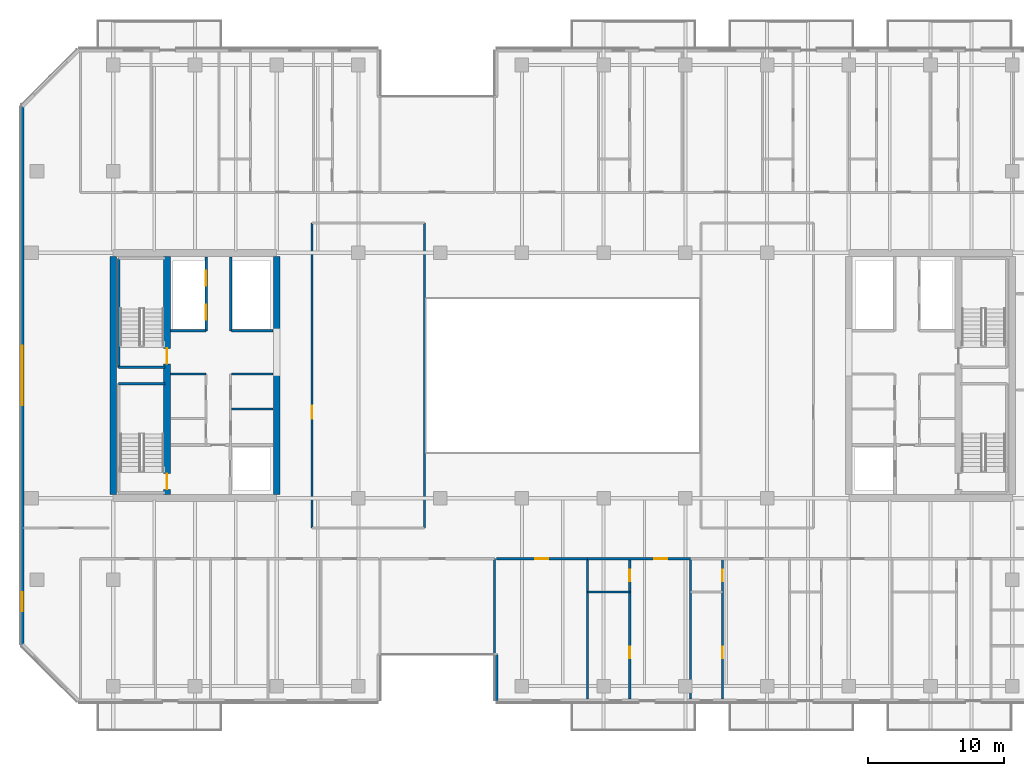
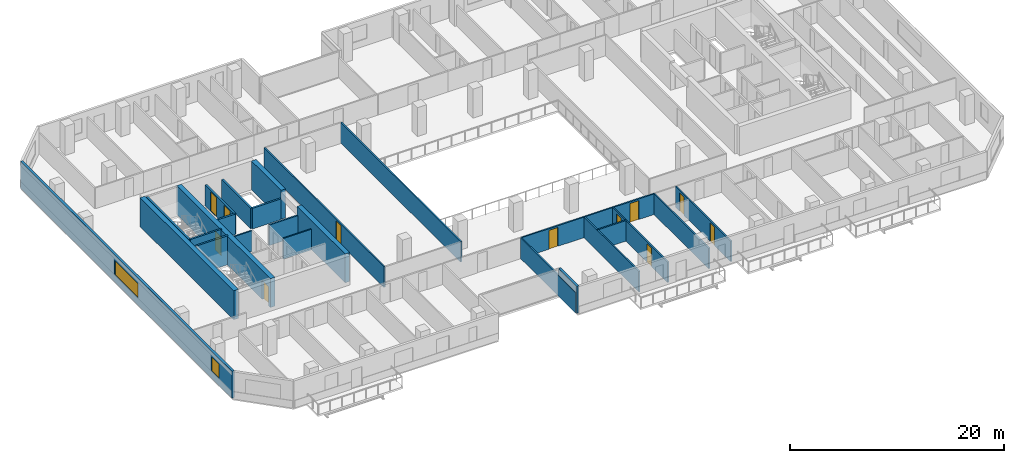
# One storey, part 11 of 23: 26 walls, 11 doors, 2 windows, 13 openings.
"""IFC4 building model written with IfcOpenShell, lengths in metres."""

from ifc_helpers import new_model, si_unit, direction, frame, frame_2d, origin, place, context, subcontext, project, spatial, rectangle, extrude, material, layer, layer_set, type_object, element, fill, save


model = new_model("IFC4")

# Units and contexts
model_context = context("Model", 3, precision=1e-05, world=origin(), true_north=direction((0.0, 1.0)))
body_context = subcontext(model_context, "Body", "Model", "MODEL_VIEW")
ifc_project = project(units=[si_unit("LENGTHUNIT", "METRE"), si_unit("AREAUNIT", "SQUARE_METRE"), si_unit("VOLUMEUNIT", "CUBIC_METRE"), si_unit("PLANEANGLEUNIT", "RADIAN"), si_unit("MASSUNIT", "GRAM", prefix="KILO")], contexts=[model_context])

# Site, building, storey
site_placement = place(None, origin())
site = spatial("IfcSite", under=ifc_project, at=site_placement, CompositionType="ELEMENT")
building_placement = place(site_placement, origin())
building = spatial("IfcBuilding", under=site, at=building_placement, Name="Tanjung Sevakor Pilgrim Tower", CompositionType="ELEMENT")
storey_placement = place(building_placement, frame((0.0, 0.0, 98.669921875)))
storey = spatial("IfcBuildingStorey", under=building, at=storey_placement, Name="L27", CompositionType="ELEMENT", Elevation=98.669921875)

# Walls
ifc_material_1 = material(Name="Concrete C60/75", Category="concrete")
ifc_layer_1 = layer(ifc_material_1, 0.5)
ifc_layer_set_1 = layer_set([ifc_layer_1], Name="WALL-CW-500")
wall_type_1 = type_object("IfcWallType", Name="WALL-CW-500", PredefinedType="SHEAR", material=ifc_layer_set_1)
wall_1_placement = place(storey_placement, frame((24.0, 24.85009765625, 0.0), z_axis=(0.0, 0.0, 1.0), x_axis=(0.0, 1.0, 0.0)))
element("IfcWall", 1, at=wall_1_placement, inside=storey, type_object=wall_type_1, Name="L27 W Core Outer Shear Wall", PredefinedType="SHEAR", context=body_context, shape_type="SweptSolid", body=[
    extrude(rectangle(XDim=17.5, YDim=0.5, at=frame_2d((8.75, 0.0))), origin(), (0.0, 0.0, 1.0), 3.300048828125),
])
wall_2_placement = place(storey_placement, frame((36.0, 24.85009765625, 0.0), z_axis=(0.0, 0.0, 1.0), x_axis=(0.0, 1.0, 0.0)))
element("IfcWall", 2, at=wall_2_placement, inside=storey, type_object=wall_type_1, Name="L27 W Core Inner Shear Wall South", PredefinedType="SHEAR", context=body_context, shape_type="SweptSolid", body=[
    extrude(rectangle(XDim=8.949951171875, YDim=0.5, at=frame_2d((4.47509765625, 0.0))), origin(), (0.0, 0.0, 1.0), 3.300048828125),
])
wall_3_placement = place(storey_placement, frame((36.0, 36.800048828125, 0.0), z_axis=(0.0, 0.0, 1.0), x_axis=(0.0, 1.0, 0.0)))
element("IfcWall", 3, at=wall_3_placement, inside=storey, type_object=wall_type_1, Name="L27 W Core Inner Shear Wall North", PredefinedType="SHEAR", context=body_context, shape_type="SweptSolid", body=[
    extrude(rectangle(XDim=5.550048828125, YDim=0.5, at=frame_2d((2.77490234375, 0.0))), origin(), (0.0, 0.0, 1.0), 3.300048828125),
])

# Wall, openings, doors
wall_4_placement = place(storey_placement, frame((27.949951171875, 24.85009765625, 0.0), z_axis=(0.0, 0.0, 1.0), x_axis=(0.0, 1.0, 0.0)))
wall_4 = element("IfcWall", 4, at=wall_4_placement, inside=storey, type_object=wall_type_1, Name="L27 W Core Stair Spine Wall", PredefinedType="SHEAR", context=body_context, shape_type="SweptSolid", body=[
    extrude(rectangle(XDim=17.5, YDim=0.5, at=frame_2d((8.75, 0.0))), origin(), (0.0, 0.0, 1.0), 3.300048828125),
])
opening_1_placement = place(wall_4_placement, frame((0.39990234375, 0.0, 0.0)))
opening_1 = element("IfcOpeningElement", 5, at=opening_1_placement, cuts=wall_4, Name="Opening ID-ST1", PredefinedType="OPENING", context=body_context, shape_type="SweptSolid", body=[
    extrude(rectangle(XDim=1.14990234375, YDim=2.14990234375, at=frame_2d((0.574951171875, 1.074951171875))), frame((0.0, 0.260009765625, 0.0), z_axis=(0.0, -1.0, 0.0), x_axis=(1.0, 0.0, 0.0)), (0.0, 0.0, 1.0), 0.52001953125),
])
opening_2_placement = place(wall_4_placement, frame((9.60009765625, 0.0, 0.0)))
opening_2 = element("IfcOpeningElement", 6, at=opening_2_placement, cuts=wall_4, Name="Opening ID-ST1", PredefinedType="OPENING", context=body_context, shape_type="SweptSolid", body=[
    extrude(rectangle(XDim=1.14990234375, YDim=2.14990234375, at=frame_2d((0.574951171875, 1.074951171875))), frame((0.0, 0.260009765625, 0.0), z_axis=(0.0, -1.0, 0.0), x_axis=(1.0, 0.0, 0.0)), (0.0, 0.0, 1.0), 0.52001953125),
])
ifc_material_2 = material(Name="Fire-Rated Steel S355J2", Category="steel")
door_type_1 = type_object("IfcDoorType", Name="DT-FIRE-1150", OperationType="NOTDEFINED", PredefinedType="DOOR", material=ifc_material_2)
door_1_placement = place(opening_1_placement, origin())
door_1 = element("IfcDoor", 7, at=door_1_placement, inside=storey, type_object=door_type_1, Name="L27 TS-W1 Stair Fire Door", OperationType="SINGLE_SWING_RIGHT", OverallHeight=2.14990234375, OverallWidth=1.14990234375, PredefinedType="DOOR", context=body_context, shape_type="SweptSolid", body=[
    extrude(rectangle(XDim=1.14990234375, YDim=2.14990234375, at=frame_2d((0.574951171875, 1.074951171875))), frame((0.0, 0.02490234375, 0.0), z_axis=(0.0, -1.0, 0.0), x_axis=(1.0, 0.0, 0.0)), (0.0, 0.0, 1.0), 0.050048828125),
])
fill(opening_1, door_1)
door_2_placement = place(opening_2_placement, origin())
door_2 = element("IfcDoor", 8, at=door_2_placement, inside=storey, type_object=door_type_1, Name="L27 TS-W2 Stair Fire Door", OperationType="SINGLE_SWING_LEFT", OverallHeight=2.14990234375, OverallWidth=1.14990234375, PredefinedType="DOOR", context=body_context, shape_type="SweptSolid", body=[
    extrude(rectangle(XDim=1.14990234375, YDim=2.14990234375, at=frame_2d((0.574951171875, 1.074951171875))), frame((0.0, 0.02490234375, 0.0), z_axis=(0.0, -1.0, 0.0), x_axis=(1.0, 0.0, 0.0)), (0.0, 0.0, 1.0), 0.050048828125),
])
fill(opening_2, door_2)

# Walls
ifc_material_3 = material(Name="Concrete C40/50", Category="concrete")
ifc_layer_2 = layer(ifc_material_3, 0.14990234375)
ifc_layer_set_2 = layer_set([ifc_layer_2], Name="WT-COMP-150")
wall_type_2 = type_object("IfcWallType", Name="WT-COMP-150", PredefinedType="SOLIDWALL", material=ifc_layer_set_2)
wall_5_placement = place(storey_placement, frame((28.219970703125, 33.719970703125, 0.0), z_axis=(0.0, 0.0, 1.0), x_axis=(1.0, 0.0, 0.0)))
element("IfcWall", 9, at=wall_5_placement, inside=storey, type_object=wall_type_2, Name="L27 Partition IW-L27-004", PredefinedType="SOLIDWALL", context=body_context, shape_type="SweptSolid", body=[
    extrude(rectangle(XDim=2.580078125, YDim=0.14990234375, at=frame_2d((1.2900390625, 0.0))), origin(), (0.0, 0.0, 1.0), 2.35009765625),
])
for number, where, z_axis, x_axis, name in (
    (10, (32.679931640625, 31.14990234375, 0.0), (0.0, 0.0, 1.0), (1.0, 0.0, 0.0), "L27 Partition IW-L27-006"),
    (11, (32.679931640625, 33.719970703125, 0.0), (0.0, 0.0, 1.0), (1.0, 0.0, 0.0), "L27 Partition IW-L27-007"),
):
    element("IfcWall", number, at=place(storey_placement, frame(where, z_axis=z_axis, x_axis=x_axis)), inside=storey, type_object=wall_type_2, Name=name, PredefinedType="SOLIDWALL", context=body_context, shape_type="SweptSolid", body=[
        extrude(rectangle(XDim=3.050048828125, YDim=0.14990234375, at=frame_2d((1.52490234375, 0.0))), origin(), (0.0, 0.0, 1.0), 2.35009765625),
    ])

# Wall, opening, door
wall_6_placement = place(storey_placement, frame((38.60009765625, 22.39990234375, 0.0), z_axis=(0.0, 0.0, 1.0), x_axis=(0.0, 1.0, 0.0)))
wall_6 = element("IfcWall", 12, at=wall_6_placement, inside=storey, type_object=wall_type_2, Name="L27 Partition IW-L27-027", PredefinedType="SOLIDWALL", context=body_context, shape_type="SweptSolid", body=[
    extrude(rectangle(XDim=22.400146484375, YDim=0.14990234375, at=frame_2d((11.2001953125, 0.0))), origin(), (0.0, 0.0, 1.0), 2.35009765625),
])
opening_3_placement = place(wall_6_placement, frame((8.02490234375, 0.0, 0.0)))
opening_3 = element("IfcOpeningElement", 13, at=opening_3_placement, cuts=wall_6, Name="Opening ID-RM1", PredefinedType="OPENING", context=body_context, shape_type="SweptSolid", body=[
    extrude(rectangle(XDim=0.949951171875, YDim=2.14990234375, at=frame_2d((0.47509765625, 1.074951171875))), frame((0.0, 0.0849609375, 0.0), z_axis=(0.0, -1.0, 0.0), x_axis=(1.0, 0.0, 0.0)), (0.0, 0.0, 1.0), 0.169921875),
])
ifc_material_4 = material(Name="Hardwood Timber", Category="wood")
door_type_2 = type_object("IfcDoorType", Name="DT-INT-950", OperationType="NOTDEFINED", PredefinedType="DOOR", material=ifc_material_4)
door_3_placement = place(opening_3_placement, origin())
door_3 = element("IfcDoor", 14, at=door_3_placement, inside=storey, type_object=door_type_2, Name="L27 Central West Room Door", OperationType="SINGLE_SWING_LEFT", OverallHeight=2.14990234375, OverallWidth=0.949951171875, PredefinedType="DOOR", context=body_context, shape_type="SweptSolid", body=[
    extrude(rectangle(XDim=0.949951171875, YDim=2.14990234375, at=frame_2d((0.47509765625, 1.074951171875))), frame((0.0, 0.02490234375, 0.0), z_axis=(0.0, -1.0, 0.0), x_axis=(1.0, 0.0, 0.0)), (0.0, 0.0, 1.0), 0.050048828125),
])
fill(opening_3, door_3)

# Walls
wall_7_placement = place(storey_placement, frame((46.85009765625, 22.39990234375, 0.0), z_axis=(0.0, 0.0, 1.0), x_axis=(0.0, 1.0, 0.0)))
element("IfcWall", 15, at=wall_7_placement, inside=storey, type_object=wall_type_2, Name="L27 Partition IW-L27-028", PredefinedType="SOLIDWALL", context=body_context, shape_type="SweptSolid", body=[
    extrude(rectangle(XDim=22.400146484375, YDim=0.14990234375, at=frame_2d((11.2001953125, 0.0))), origin(), (0.0, 0.0, 1.0), 2.35009765625),
])
for number, where, z_axis, x_axis, name in (
    (16, (52.0, 9.85009765625, 0.0), (0.0, 0.0, 1.0), (0.0, 1.0, 0.0), "L27 Partition IW-L27-043"),
    (17, (58.827880859375, 9.85009765625, 0.0), (0.0, 0.0, 1.0), (0.0, 1.0, 0.0), "L27 Partition IW-L27-058"),
):
    element("IfcWall", number, at=place(storey_placement, frame(where, z_axis=z_axis, x_axis=x_axis)), inside=storey, type_object=wall_type_2, Name=name, PredefinedType="SOLIDWALL", context=body_context, shape_type="SweptSolid", body=[
        extrude(rectangle(XDim=10.2998046875, YDim=0.14990234375, at=frame_2d((5.14990234375, 0.0))), origin(), (0.0, 0.0, 1.0), 2.35009765625),
    ])

# Wall, opening, door
wall_8_placement = place(storey_placement, frame((52.1201171875, 20.14990234375, 0.0), z_axis=(0.0, 0.0, 1.0), x_axis=(1.0, 0.0, 0.0)))
wall_8 = element("IfcWall", 18, at=wall_8_placement, inside=storey, type_object=wall_type_2, Name="L27 Partition IW-L27-059", PredefinedType="SOLIDWALL", context=body_context, shape_type="SweptSolid", body=[
    extrude(rectangle(XDim=6.707763671875, YDim=0.14990234375, at=frame_2d((3.35400390625, 0.0))), origin(), (0.0, 0.0, 1.0), 2.35009765625),
])
opening_4_placement = place(wall_8_placement, frame((2.87890625, 0.0, 0.0)))
opening_4 = element("IfcOpeningElement", 19, at=opening_4_placement, cuts=wall_8, Name="Opening ID-FD2", PredefinedType="OPENING", context=body_context, shape_type="SweptSolid", body=[
    extrude(rectangle(XDim=0.949951171875, YDim=2.14990234375, at=frame_2d((0.47509765625, 1.074951171875))), frame((0.0, 0.0849609375, 0.0), z_axis=(0.0, -1.0, 0.0), x_axis=(1.0, 0.0, 0.0)), (0.0, 0.0, 1.0), 0.169921875),
])
ifc_material_5 = material(Name="Fire-Rated Timber", Category="wood")
door_type_3 = type_object("IfcDoorType", Name="DT-FIRE-950", OperationType="NOTDEFINED", PredefinedType="DOOR", material=ifc_material_5)
door_4_placement = place(opening_4_placement, origin())
door_4 = element("IfcDoor", 20, at=door_4_placement, inside=storey, type_object=door_type_3, Name="Housekeeping Pantry Door", OperationType="SINGLE_SWING_RIGHT", OverallHeight=2.14990234375, OverallWidth=0.949951171875, PredefinedType="DOOR", context=body_context, shape_type="SweptSolid", body=[
    extrude(rectangle(XDim=0.949951171875, YDim=2.14990234375, at=frame_2d((0.47509765625, 1.074951171875))), frame((0.0, 0.02490234375, 0.0), z_axis=(0.0, -1.0, 0.0), x_axis=(1.0, 0.0, 0.0)), (0.0, 0.0, 1.0), 0.050048828125),
])
fill(opening_4, door_4)

# Wall
wall_9_placement = place(storey_placement, frame((66.3740234375, 9.85009765625, 0.0), z_axis=(0.0, 0.0, 1.0), x_axis=(0.0, 1.0, 0.0)))
element("IfcWall", 21, at=wall_9_placement, inside=storey, type_object=wall_type_2, Name="L27 Partition IW-L27-060", PredefinedType="SOLIDWALL", context=body_context, shape_type="SweptSolid", body=[
    extrude(rectangle(XDim=10.2998046875, YDim=0.14990234375, at=frame_2d((5.14990234375, 0.0))), origin(), (0.0, 0.0, 1.0), 2.35009765625),
])

# Wall, opening, door
wall_10_placement = place(storey_placement, frame((58.827880859375, 20.14990234375, 0.0), z_axis=(0.0, 0.0, 1.0), x_axis=(1.0, 0.0, 0.0)))
wall_10 = element("IfcWall", 22, at=wall_10_placement, inside=storey, type_object=wall_type_2, Name="L27 Partition IW-L27-063", PredefinedType="SOLIDWALL", context=body_context, shape_type="SweptSolid", body=[
    extrude(rectangle(XDim=7.546142578125, YDim=0.14990234375, at=frame_2d((3.77294921875, 0.0))), origin(), (0.0, 0.0, 1.0), 2.35009765625),
])
opening_5_placement = place(wall_10_placement, frame((4.88427734375, 0.0, 0.0)))
opening_5 = element("IfcOpeningElement", 23, at=opening_5_placement, cuts=wall_10, Name="Opening ID-FD2", PredefinedType="OPENING", context=body_context, shape_type="SweptSolid", body=[
    extrude(rectangle(XDim=0.949951171875, YDim=2.14990234375, at=frame_2d((0.47509765625, 1.074951171875))), frame((0.0, 0.0849609375, 0.0), z_axis=(0.0, -1.0, 0.0), x_axis=(1.0, 0.0, 0.0)), (0.0, 0.0, 1.0), 0.169921875),
])
door_5_placement = place(opening_5_placement, origin())
door_5 = element("IfcDoor", 24, at=door_5_placement, inside=storey, type_object=door_type_3, Name="Hostel Quad Entrance", OperationType="SINGLE_SWING_LEFT", OverallHeight=2.14990234375, OverallWidth=0.949951171875, PredefinedType="DOOR", context=body_context, shape_type="SweptSolid", body=[
    extrude(rectangle(XDim=0.949951171875, YDim=2.14990234375, at=frame_2d((0.47509765625, 1.074951171875))), frame((0.0, 0.02490234375, 0.0), z_axis=(0.0, -1.0, 0.0), x_axis=(1.0, 0.0, 0.0)), (0.0, 0.0, 1.0), 0.050048828125),
])
fill(opening_5, door_5)

# Wall
ifc_material_6 = material(Name="Precast concrete C45/55", Category="concrete")
ifc_layer_3 = layer(ifc_material_6, 0.25)
ifc_layer_set_3 = layer_set([ifc_layer_3], Name="WT-EW-STN3")
wall_type_3 = type_object("IfcWallType", Name="WT-EW-STN3", PredefinedType="SOLIDWALL", material=ifc_layer_set_3)
wall_11_placement = place(storey_placement, frame((52.125, 13.125, 0.0), z_axis=(0.0, 0.0, 1.0), x_axis=(0.0, -1.0, 0.0)))
element("IfcWall", 25, at=wall_11_placement, inside=storey, type_object=wall_type_3, Name="L27 MAIN Exterior Wall 4", PredefinedType="SOLIDWALL", context=body_context, shape_type="SweptSolid", body=[
    extrude(rectangle(XDim=3.39990234375, YDim=0.25, at=frame_2d((1.699951171875, 0.0))), origin(), (0.0, 0.0, 1.0), 3.080078125),
])

# Wall, openings, windows
wall_12_placement = place(storey_placement, frame((17.324951171875, 53.34814453125, 0.0), z_axis=(0.0, 0.0, 1.0), x_axis=(0.0, -1.0, 0.0)))
wall_12 = element("IfcWall", 26, at=wall_12_placement, inside=storey, type_object=wall_type_3, Name="L27 MAIN Exterior Wall 15", PredefinedType="SOLIDWALL", context=body_context, shape_type="SweptSolid", body=[
    extrude(rectangle(XDim=39.496337890625, YDim=0.25, at=frame_2d((19.748046875, 0.0))), origin(), (0.0, 0.0, 1.0), 3.080078125),
])
opening_6_placement = place(wall_12_placement, frame((17.548095703125, 0.0, 0.780029296875)))
opening_6 = element("IfcOpeningElement", 27, at=opening_6_placement, cuts=wall_12, Name="Opening WN-ENDW-1660", PredefinedType="OPENING", context=body_context, shape_type="SweptSolid", body=[
    extrude(rectangle(XDim=4.39990234375, YDim=1.659912109375, at=frame_2d((2.199951171875, 0.830078125))), frame((0.0, 0.135009765625, 0.0), z_axis=(0.0, -1.0, 0.0), x_axis=(1.0, 0.0, 0.0)), (0.0, 0.0, 1.0), 0.27001953125),
])
opening_7_placement = place(wall_12_placement, frame((35.642333984375, 0.0, 0.780029296875)))
opening_7 = element("IfcOpeningElement", 28, at=opening_7_placement, cuts=wall_12, Name="Opening WN-END", PredefinedType="OPENING", context=body_context, shape_type="SweptSolid", body=[
    extrude(rectangle(XDim=1.39990234375, YDim=1.64990234375, at=frame_2d((0.699951171875, 0.824951171875))), frame((0.0, 0.135009765625, 0.0), z_axis=(0.0, -1.0, 0.0), x_axis=(1.0, 0.0, 0.0)), (0.0, 0.0, 1.0), 0.27001953125),
])
ifc_material_7 = material(Name="Thermally Broken Aluminium and Low-E Glass", Category="aluminium")
window_type_1 = type_object("IfcWindowType", Name="WTYP-WN-END", PartitioningType="SINGLE_PANEL", PredefinedType="WINDOW", material=ifc_material_7)
window_1_placement = place(opening_7_placement, origin())
window_1 = element("IfcWindow", 29, at=window_1_placement, inside=storey, type_object=window_type_1, Name="L27 Facade Window 02", OverallHeight=1.64990234375, OverallWidth=1.39990234375, PartitioningType="SINGLE_PANEL", PredefinedType="WINDOW", context=body_context, shape_type="SweptSolid", body=[
    extrude(rectangle(XDim=1.39990234375, YDim=1.64990234375, at=frame_2d((0.699951171875, 0.824951171875))), frame((0.0, 0.030029296875, 0.0), z_axis=(0.0, -1.0, 0.0), x_axis=(1.0, 0.0, 0.0)), (0.0, 0.0, 1.0), 0.06005859375),
])
fill(opening_7, window_1)
ifc_material_8 = material(Name="Thermally Broken Aluminium and Low-E Glass", Category="aluminium")
window_type_2 = type_object("IfcWindowType", Name="WTYP-WN-ENDW-1660", PartitioningType="DOUBLE_PANEL_VERTICAL", PredefinedType="WINDOW", material=ifc_material_8)
window_2_placement = place(opening_6_placement, origin())
window_2 = element("IfcWindow", 30, at=window_2_placement, inside=storey, type_object=window_type_2, Name="L27 Facade Window 01", OverallHeight=1.659912109375, OverallWidth=4.39990234375, PartitioningType="SINGLE_PANEL", PredefinedType="WINDOW", context=body_context, shape_type="SweptSolid", body=[
    extrude(rectangle(XDim=4.39990234375, YDim=1.659912109375, at=frame_2d((2.199951171875, 0.830078125))), frame((0.0, 0.030029296875, 0.0), z_axis=(0.0, -1.0, 0.0), x_axis=(1.0, 0.0, 0.0)), (0.0, 0.0, 1.0), 0.06005859375),
])
fill(opening_6, window_2)

# Walls
ifc_material_9 = material(Name="Concrete C40/50", Category="concrete")
ifc_layer_4 = layer(ifc_material_9, 0.199951171875)
ifc_layer_set_4 = layer_set([ifc_layer_4], Name="WT-FIRE-200")
wall_type_4 = type_object("IfcWallType", Name="WT-FIRE-200", PredefinedType="SOLIDWALL", material=ifc_layer_set_4)
for number, where, z_axis, x_axis, name in (
    (31, (27.800048828125, 33.0, 0.0), (0.0, 0.0, 1.0), (-1.0, 0.0, 0.0), "L27 TS-W1 Shaft Wall 2"),
    (32, (24.39990234375, 34.199951171875, 0.0), (0.0, 0.0, 1.0), (1.0, 0.0, 0.0), "L27 TS-W2 Shaft Wall 1"),
):
    element("IfcWall", number, at=place(storey_placement, frame(where, z_axis=z_axis, x_axis=x_axis)), inside=storey, type_object=wall_type_4, Name=name, PredefinedType="SOLIDWALL", context=body_context, shape_type="SweptSolid", body=[
        extrude(rectangle(XDim=3.400146484375, YDim=0.199951171875, at=frame_2d((1.7001953125, 0.0))), origin(), (0.0, 0.0, 1.0), 3.300048828125),
    ])
wall_13_placement = place(storey_placement, frame((24.39990234375, 42.199951171875, 0.0), z_axis=(0.0, 0.0, 1.0), x_axis=(0.0, -1.0, 0.0)))
element("IfcWall", 33, at=wall_13_placement, inside=storey, type_object=wall_type_4, Name="L27 TS-W2 Shaft Wall 3", PredefinedType="SOLIDWALL", context=body_context, shape_type="SweptSolid", body=[
    extrude(rectangle(XDim=8.0, YDim=0.199951171875, at=frame_2d((4.0, 0.0))), origin(), (0.0, 0.0, 1.0), 3.300048828125),
])
ifc_material_10 = material(Name="Concrete C40/50", Category="concrete")
ifc_layer_5 = layer(ifc_material_10, 0.199951171875)
ifc_layer_set_5 = layer_set([ifc_layer_5], Name="WT-FPRT-200")
wall_type_5 = type_object("IfcWallType", Name="WT-FPRT-200", PredefinedType="SOLIDWALL", material=ifc_layer_set_5)
wall_14_placement = place(storey_placement, frame((28.219970703125, 36.8798828125, 0.0), z_axis=(0.0, 0.0, 1.0), x_axis=(1.0, 0.0, 0.0)))
element("IfcWall", 34, at=wall_14_placement, inside=storey, type_object=wall_type_5, Name="L27 Partition IW-L27-009", PredefinedType="SOLIDWALL", context=body_context, shape_type="SweptSolid", body=[
    extrude(rectangle(XDim=2.580078125, YDim=0.199951171875, at=frame_2d((1.2900390625, 0.0))), origin(), (0.0, 0.0, 1.0), 2.35009765625),
])

# Wall, openings, doors
wall_15_placement = place(storey_placement, frame((30.820068359375, 36.8798828125, 0.0), z_axis=(0.0, 0.0, 1.0), x_axis=(0.0, 1.0, 0.0)))
wall_15 = element("IfcWall", 35, at=wall_15_placement, inside=storey, type_object=wall_type_5, Name="L27 Partition IW-L27-010", PredefinedType="SOLIDWALL", context=body_context, shape_type="SweptSolid", body=[
    extrude(rectangle(XDim=5.420166015625, YDim=0.199951171875, at=frame_2d((2.7099609375, 0.0))), origin(), (0.0, 0.0, 1.0), 2.35009765625),
])
opening_8_placement = place(wall_15_placement, frame((0.800048828125, 0.0, 0.0)))
opening_8 = element("IfcOpeningElement", 36, at=opening_8_placement, cuts=wall_15, Name="Opening LD-1100", PredefinedType="OPENING", context=body_context, shape_type="SweptSolid", body=[
    extrude(rectangle(XDim=1.10009765625, YDim=2.199951171875, at=frame_2d((0.550048828125, 1.10009765625))), frame((0.0, 0.10986328125, 0.0), z_axis=(0.0, -1.0, 0.0), x_axis=(1.0, 0.0, 0.0)), (0.0, 0.0, 1.0), 0.219970703125),
])
opening_9_placement = place(wall_15_placement, frame((3.300048828125, 0.0, 0.0)))
opening_9 = element("IfcOpeningElement", 37, at=opening_9_placement, cuts=wall_15, Name="Opening LD-1100", PredefinedType="OPENING", context=body_context, shape_type="SweptSolid", body=[
    extrude(rectangle(XDim=1.10009765625, YDim=2.199951171875, at=frame_2d((0.550048828125, 1.10009765625))), frame((0.0, 0.10986328125, 0.0), z_axis=(0.0, -1.0, 0.0), x_axis=(1.0, 0.0, 0.0)), (0.0, 0.0, 1.0), 0.219970703125),
])
ifc_material_11 = material(Name="Brushed Stainless Steel S355J2", Category="steel")
door_type_4 = type_object("IfcDoorType", Name="DT-LIFT-1100", OperationType="SLIDING_TO_LEFT", PredefinedType="DOOR", material=ifc_material_11)
door_6_placement = place(opening_8_placement, origin())
door_6 = element("IfcDoor", 38, at=door_6_placement, inside=storey, type_object=door_type_4, Name="LD-PLM1-W", OperationType="SLIDING_TO_LEFT", OverallHeight=2.199951171875, OverallWidth=1.10009765625, PredefinedType="DOOR", context=body_context, shape_type="SweptSolid", body=[
    extrude(rectangle(XDim=1.10009765625, YDim=2.199951171875, at=frame_2d((0.550048828125, 1.10009765625))), frame((0.0, 0.02490234375, 0.0), z_axis=(0.0, -1.0, 0.0), x_axis=(1.0, 0.0, 0.0)), (0.0, 0.0, 1.0), 0.050048828125),
])
fill(opening_8, door_6)
door_7_placement = place(opening_9_placement, origin())
door_7 = element("IfcDoor", 39, at=door_7_placement, inside=storey, type_object=door_type_4, Name="LD-PLM2-W", OperationType="SLIDING_TO_RIGHT", OverallHeight=2.199951171875, OverallWidth=1.10009765625, PredefinedType="DOOR", context=body_context, shape_type="SweptSolid", body=[
    extrude(rectangle(XDim=1.10009765625, YDim=2.199951171875, at=frame_2d((0.550048828125, 1.10009765625))), frame((0.0, 0.02490234375, 0.0), z_axis=(0.0, -1.0, 0.0), x_axis=(1.0, 0.0, 0.0)), (0.0, 0.0, 1.0), 0.050048828125),
])
fill(opening_9, door_7)

# Walls
wall_16_placement = place(storey_placement, frame((32.679931640625, 36.8798828125, 0.0), z_axis=(0.0, 0.0, 1.0), x_axis=(1.0, 0.0, 0.0)))
element("IfcWall", 40, at=wall_16_placement, inside=storey, type_object=wall_type_5, Name="L27 Partition IW-L27-011", PredefinedType="SOLIDWALL", context=body_context, shape_type="SweptSolid", body=[
    extrude(rectangle(XDim=3.050048828125, YDim=0.199951171875, at=frame_2d((1.52490234375, 0.0))), origin(), (0.0, 0.0, 1.0), 2.35009765625),
])
wall_17_placement = place(storey_placement, frame((32.6201171875, 36.8798828125, 0.0), z_axis=(0.0, 0.0, 1.0), x_axis=(0.0, 1.0, 0.0)))
element("IfcWall", 41, at=wall_17_placement, inside=storey, type_object=wall_type_5, Name="L27 Partition IW-L27-012", PredefinedType="SOLIDWALL", context=body_context, shape_type="SweptSolid", body=[
    extrude(rectangle(XDim=5.420166015625, YDim=0.199951171875, at=frame_2d((2.7099609375, 0.0))), origin(), (0.0, 0.0, 1.0), 2.35009765625),
])
ifc_material_12 = material(Name="Gypsum Board Partition", Category="gypsum board")
ifc_layer_6 = layer(ifc_material_12, 0.14990234375)
ifc_layer_set_6 = layer_set([ifc_layer_6], Name="WT-PART-150")
wall_type_6 = type_object("IfcWallType", Name="WT-PART-150", PredefinedType="PARTITIONING", material=ifc_layer_set_6)
wall_18_placement = place(storey_placement, frame((58.827880859375, 17.699951171875, 0.0), z_axis=(0.0, 0.0, 1.0), x_axis=(1.0, 0.0, 0.0)))
element("IfcWall", 42, at=wall_18_placement, inside=storey, type_object=wall_type_6, Name="L27 Partition IW-L27-061", PredefinedType="PARTITIONING", context=body_context, shape_type="SweptSolid", body=[
    extrude(rectangle(XDim=3.092041015625, YDim=0.14990234375, at=frame_2d((1.5458984375, 0.0))), origin(), (0.0, 0.0, 1.0), 2.35009765625),
])

# Wall, openings, doors
wall_19_placement = place(storey_placement, frame((61.919921875, 9.85009765625, 0.0), z_axis=(0.0, 0.0, 1.0), x_axis=(0.0, 1.0, 0.0)))
wall_19 = element("IfcWall", 43, at=wall_19_placement, inside=storey, type_object=wall_type_6, Name="L27 Partition IW-L27-062", PredefinedType="PARTITIONING", context=body_context, shape_type="SweptSolid", body=[
    extrude(rectangle(XDim=10.2998046875, YDim=0.14990234375, at=frame_2d((5.14990234375, 0.0))), origin(), (0.0, 0.0, 1.0), 2.35009765625),
])
opening_10_placement = place(wall_19_placement, frame((3.0, 0.0, 0.0)))
opening_10 = element("IfcOpeningElement", 44, at=opening_10_placement, cuts=wall_19, Name="Opening ID-WC1", PredefinedType="OPENING", context=body_context, shape_type="SweptSolid", body=[
    extrude(rectangle(XDim=0.85009765625, YDim=2.10009765625, at=frame_2d((0.425048828125, 1.050048828125))), frame((0.0, 0.0849609375, 0.0), z_axis=(0.0, -1.0, 0.0), x_axis=(1.0, 0.0, 0.0)), (0.0, 0.0, 1.0), 0.169921875),
])
opening_11_placement = place(wall_19_placement, frame((8.64990234375, 0.0, 0.0)))
opening_11 = element("IfcOpeningElement", 45, at=opening_11_placement, cuts=wall_19, Name="Opening ID-WC1", PredefinedType="OPENING", context=body_context, shape_type="SweptSolid", body=[
    extrude(rectangle(XDim=0.85009765625, YDim=2.10009765625, at=frame_2d((0.425048828125, 1.050048828125))), frame((0.0, 0.0849609375, 0.0), z_axis=(0.0, -1.0, 0.0), x_axis=(1.0, 0.0, 0.0)), (0.0, 0.0, 1.0), 0.169921875),
])
ifc_material_13 = material(Name="Moisture-Resistant Timber", Category="wood")
door_type_5 = type_object("IfcDoorType", Name="DT-INT-850", OperationType="NOTDEFINED", PredefinedType="DOOR", material=ifc_material_13)
door_8_placement = place(opening_10_placement, origin())
door_8 = element("IfcDoor", 46, at=door_8_placement, inside=storey, type_object=door_type_5, Name="Study Nook Door", OperationType="SINGLE_SWING_LEFT", OverallHeight=2.10009765625, OverallWidth=0.85009765625, PredefinedType="DOOR", context=body_context, shape_type="SweptSolid", body=[
    extrude(rectangle(XDim=0.85009765625, YDim=2.10009765625, at=frame_2d((0.425048828125, 1.050048828125))), frame((0.0, 0.02490234375, 0.0), z_axis=(0.0, -1.0, 0.0), x_axis=(1.0, 0.0, 0.0)), (0.0, 0.0, 1.0), 0.050048828125),
])
fill(opening_10, door_8)
door_9_placement = place(opening_11_placement, origin())
door_9 = element("IfcDoor", 47, at=door_9_placement, inside=storey, type_object=door_type_5, Name="Bathroom Door", OperationType="SINGLE_SWING_RIGHT", OverallHeight=2.10009765625, OverallWidth=0.85009765625, PredefinedType="DOOR", context=body_context, shape_type="SweptSolid", body=[
    extrude(rectangle(XDim=0.85009765625, YDim=2.10009765625, at=frame_2d((0.425048828125, 1.050048828125))), frame((0.0, 0.02490234375, 0.0), z_axis=(0.0, -1.0, 0.0), x_axis=(1.0, 0.0, 0.0)), (0.0, 0.0, 1.0), 0.050048828125),
])
fill(opening_11, door_9)

wall_20_placement = place(storey_placement, frame((68.72412109375, 9.85009765625, 0.0), z_axis=(0.0, 0.0, 1.0), x_axis=(0.0, 1.0, 0.0)))
wall_20 = element("IfcWall", 48, at=wall_20_placement, inside=storey, type_object=wall_type_6, Name="L27 Partition IW-L27-066", PredefinedType="PARTITIONING", context=body_context, shape_type="SweptSolid", body=[
    extrude(rectangle(XDim=10.2998046875, YDim=0.14990234375, at=frame_2d((5.14990234375, 0.0))), origin(), (0.0, 0.0, 1.0), 2.35009765625),
])
opening_12_placement = place(wall_20_placement, frame((3.0, 0.0, 0.0)))
opening_12 = element("IfcOpeningElement", 49, at=opening_12_placement, cuts=wall_20, Name="Opening ID-WC1", PredefinedType="OPENING", context=body_context, shape_type="SweptSolid", body=[
    extrude(rectangle(XDim=0.85009765625, YDim=2.10009765625, at=frame_2d((0.425048828125, 1.050048828125))), frame((0.0, 0.0849609375, 0.0), z_axis=(0.0, -1.0, 0.0), x_axis=(1.0, 0.0, 0.0)), (0.0, 0.0, 1.0), 0.169921875),
])
opening_13_placement = place(wall_20_placement, frame((8.64990234375, 0.0, 0.0)))
opening_13 = element("IfcOpeningElement", 50, at=opening_13_placement, cuts=wall_20, Name="Opening ID-WC1", PredefinedType="OPENING", context=body_context, shape_type="SweptSolid", body=[
    extrude(rectangle(XDim=0.85009765625, YDim=2.10009765625, at=frame_2d((0.425048828125, 1.050048828125))), frame((0.0, 0.0849609375, 0.0), z_axis=(0.0, -1.0, 0.0), x_axis=(1.0, 0.0, 0.0)), (0.0, 0.0, 1.0), 0.169921875),
])
door_10_placement = place(opening_12_placement, origin())
door_10 = element("IfcDoor", 51, at=door_10_placement, inside=storey, type_object=door_type_5, Name="Study Nook Door", OperationType="SINGLE_SWING_RIGHT", OverallHeight=2.10009765625, OverallWidth=0.85009765625, PredefinedType="DOOR", context=body_context, shape_type="SweptSolid", body=[
    extrude(rectangle(XDim=0.85009765625, YDim=2.10009765625, at=frame_2d((0.425048828125, 1.050048828125))), frame((0.0, 0.02490234375, 0.0), z_axis=(0.0, -1.0, 0.0), x_axis=(1.0, 0.0, 0.0)), (0.0, 0.0, 1.0), 0.050048828125),
])
fill(opening_12, door_10)
door_11_placement = place(opening_13_placement, origin())
door_11 = element("IfcDoor", 52, at=door_11_placement, inside=storey, type_object=door_type_5, Name="Bathroom Door", OperationType="SINGLE_SWING_LEFT", OverallHeight=2.10009765625, OverallWidth=0.85009765625, PredefinedType="DOOR", context=body_context, shape_type="SweptSolid", body=[
    extrude(rectangle(XDim=0.85009765625, YDim=2.10009765625, at=frame_2d((0.425048828125, 1.050048828125))), frame((0.0, 0.02490234375, 0.0), z_axis=(0.0, -1.0, 0.0), x_axis=(1.0, 0.0, 0.0)), (0.0, 0.0, 1.0), 0.050048828125),
])
fill(opening_13, door_11)

save(model, "model.ifc")
